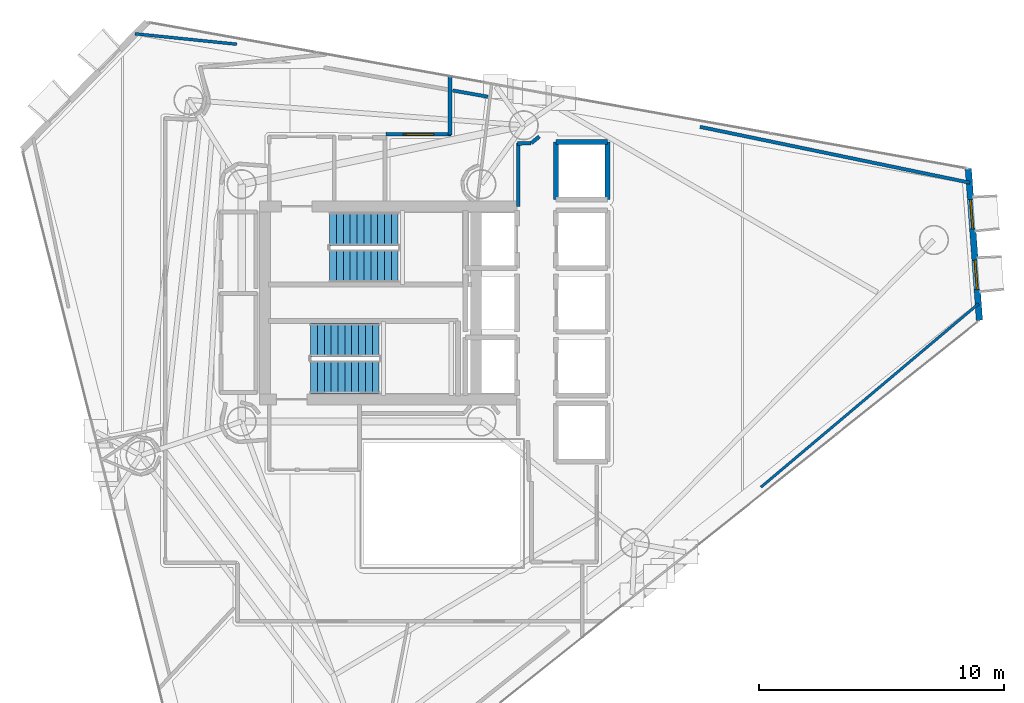
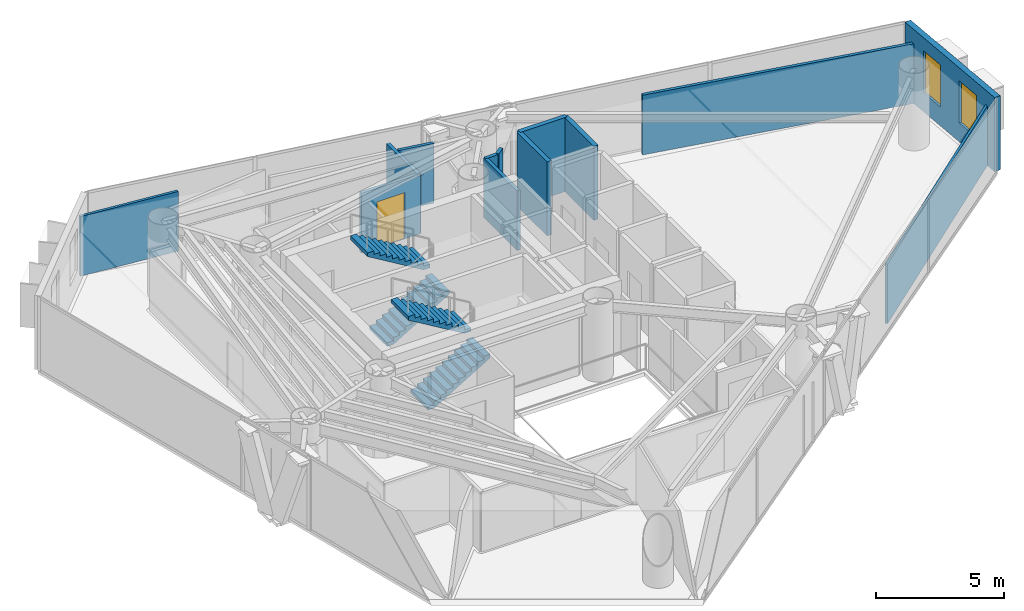
# One storey, part 19 of 22: 13 walls, 4 stair flights, 2 windows, 1 door, 3 openings, 2 elements without a shape of their own.
"""IFC4 building model written with IfcOpenShell, lengths in metres."""

from ifc_helpers import new_model, si_unit, direction, frame, frame_2d, origin, place, context, subcontext, project, spatial, polyline, rectangle, outline, extrude, material, layer, layer_set, type_object, element, fill, aggregate, save


model = new_model("IFC4")

# Units and contexts
model_context = context("Model", 3, precision=1e-05, world=origin(), true_north=direction((0.0, 1.0)))
body_context = subcontext(model_context, "Body", "Model", "MODEL_VIEW")
ifc_project = project(units=[si_unit("LENGTHUNIT", "METRE"), si_unit("AREAUNIT", "SQUARE_METRE"), si_unit("VOLUMEUNIT", "CUBIC_METRE"), si_unit("PLANEANGLEUNIT", "RADIAN"), si_unit("MASSUNIT", "GRAM", prefix="KILO")], contexts=[model_context])

# Site, building, storey
site_placement = place(None, origin())
site = spatial("IfcSite", under=ifc_project, at=site_placement, CompositionType="ELEMENT")
building_placement = place(site_placement, origin())
building = spatial("IfcBuilding", under=site, at=building_placement, Name="Qianvela Tower", CompositionType="ELEMENT")
storey_placement = place(building_placement, frame((0.0, 0.0, 207.699951171875)))
storey = spatial("IfcBuildingStorey", under=building, at=storey_placement, Name="L53", CompositionType="ELEMENT", Elevation=207.699951171875)

# Wall, openings, windows
ifc_material_1 = material(Name="Terracotta Cladding on Concrete C40", Category="masonry")
ifc_layer_1 = layer(ifc_material_1, 0.260009765625)
ifc_layer_set_1 = layer_set([ifc_layer_1], Name="Terracotta Cladding on Concrete C40")
wall_type_1 = type_object("IfcWallType", Name="TERRACOTTA-WALL-260", PredefinedType="SOLIDWALL", material=ifc_layer_set_1)
wall_1_placement = place(storey_placement, frame((58.75830078125, 27.9873046875, 0.0), z_axis=(0.0, 0.0, 1.0), x_axis=(-0.073501040967, 0.997295140356, 0.0)))
wall_1 = element("IfcWall", 1, at=wall_1_placement, inside=storey, type_object=wall_type_1, Name="L53 Terracotta Chamfer Facet Wall 1", PredefinedType="SOLIDWALL", context=body_context, shape_type="SweptSolid", body=[
    extrude(rectangle(XDim=6.21142578125, YDim=0.260009765625, at=frame_2d((3.105712890625, 0.0))), origin(), (0.0, 0.0, 1.0), 3.52001953125),
])
opening_1_placement = place(wall_1_placement, frame((1.263427734375, 0.0, 0.89990234375)))
opening_1 = element("IfcOpeningElement", 2, at=opening_1_placement, cuts=wall_1, Name="Opening W-03", PredefinedType="OPENING", context=body_context, shape_type="SweptSolid", body=[
    extrude(rectangle(XDim=1.199951171875, YDim=2.0, at=frame_2d((0.60009765625, 1.0))), frame((0.0, 0.139892578125, 0.0), z_axis=(0.0, -1.0, 0.0), x_axis=(1.0, 0.0, 0.0)), (0.0, 0.0, 1.0), 0.280029296875),
])
opening_2_placement = place(wall_1_placement, frame((3.748046875, 0.0, 0.89990234375)))
opening_2 = element("IfcOpeningElement", 3, at=opening_2_placement, cuts=wall_1, Name="Opening W-03", PredefinedType="OPENING", context=body_context, shape_type="SweptSolid", body=[
    extrude(rectangle(XDim=1.199951171875, YDim=2.0, at=frame_2d((0.60009765625, 1.0))), frame((0.0, 0.139892578125, 0.0), z_axis=(0.0, -1.0, 0.0), x_axis=(1.0, 0.0, 0.0)), (0.0, 0.0, 1.0), 0.280029296875),
])
ifc_material_2 = material(Name="Thermally Broken Aluminium and Low-E Glass", Category="aluminium")
window_type = type_object("IfcWindowType", Name="WIN-TC-1200x2000", PartitioningType="SINGLE_PANEL", PredefinedType="WINDOW", material=ifc_material_2)
window_1_placement = place(opening_1_placement, origin())
window_1 = element("IfcWindow", 4, at=window_1_placement, inside=storey, type_object=window_type, Name="L53 Chamfer Facet Window 1.1", OverallHeight=2.0, OverallWidth=1.199951171875, PartitioningType="SINGLE_PANEL", PredefinedType="WINDOW", context=body_context, shape_type="SweptSolid", body=[
    extrude(rectangle(XDim=1.199951171875, YDim=2.0, at=frame_2d((0.60009765625, 1.0))), frame((0.0, 0.030029296875, 0.0), z_axis=(0.0, -1.0, 0.0), x_axis=(1.0, 0.0, 0.0)), (0.0, 0.0, 1.0), 0.06005859375),
])
fill(opening_1, window_1)
window_2_placement = place(opening_2_placement, origin())
window_2 = element("IfcWindow", 5, at=window_2_placement, inside=storey, type_object=window_type, Name="L53 Chamfer Facet Window 1.2", OverallHeight=2.0, OverallWidth=1.199951171875, PartitioningType="SINGLE_PANEL", PredefinedType="WINDOW", context=body_context, shape_type="SweptSolid", body=[
    extrude(rectangle(XDim=1.199951171875, YDim=2.0, at=frame_2d((0.60009765625, 1.0))), frame((0.0, 0.030029296875, 0.0), z_axis=(0.0, -1.0, 0.0), x_axis=(1.0, 0.0, 0.0)), (0.0, 0.0, 1.0), 0.06005859375),
])
fill(opening_2, window_2)

# Walls
ifc_material_3 = material(Name="Fire-Rated Acoustic Gypsum Board")
ifc_layer_2 = layer(ifc_material_3, 0.14990234375)
ifc_layer_set_2 = layer_set([ifc_layer_2], Name="Fire-Rated Acoustic Gypsum Board")
wall_type_2 = type_object("IfcWallType", Name="WT-CORR-150", PredefinedType="PARTITIONING", material=ifc_layer_set_2)
wall_2_placement = place(storey_placement, frame((39.910888671875, 32.639892578125, 0.0), z_axis=(0.0, 0.0, 1.0), x_axis=(0.0, 1.0, 0.0)))
element("IfcWall", 6, at=wall_2_placement, inside=storey, type_object=wall_type_2, Name="L53 Partition 12", PredefinedType="PARTITIONING", context=body_context, shape_type="SweptSolid", body=[
    extrude(rectangle(XDim=2.60400390625, YDim=0.14990234375, at=frame_2d((1.302001953125, 0.0))), origin(), (0.0, 0.0, 1.0), 2.840087890625),
])
wall_3_placement = place(storey_placement, frame((39.880615234375, 35.212890625, 0.0), z_axis=(0.0, 0.0, 1.0), x_axis=(0.999756500784, 0.02206669754, 0.0)))
element("IfcWall", 7, at=wall_3_placement, inside=storey, type_object=wall_type_2, Name="L53 Partition 13", PredefinedType="PARTITIONING", context=body_context, shape_type="SweptSolid", body=[
    extrude(rectangle(XDim=0.542236328125, YDim=0.14990234375, at=frame_2d((0.27099609375, 0.0))), origin(), (0.0, 0.0, 1.0), 2.840087890625),
])
wall_4_placement = place(storey_placement, frame((40.44140625, 35.231689453125, 0.0), z_axis=(0.0, 0.0, 1.0), x_axis=(0.778714564707, 0.627378376033, 0.0)))
element("IfcWall", 8, at=wall_4_placement, inside=storey, type_object=wall_type_2, Name="L53 Partition 14", PredefinedType="PARTITIONING", context=body_context, shape_type="SweptSolid", body=[
    extrude(rectangle(XDim=0.421142578125, YDim=0.14990234375, at=frame_2d((0.21044921875, 0.0))), origin(), (0.0, 0.0, 1.0), 2.840087890625),
])
wall_5_placement = place(storey_placement, frame((37.118896484375, 37.97998046875, 0.0), z_axis=(0.0, 0.0, 1.0), x_axis=(0.0, -1.0, 0.0)))
element("IfcWall", 9, at=wall_5_placement, inside=storey, type_object=wall_type_2, Name="L53 Partition 53", PredefinedType="PARTITIONING", context=body_context, shape_type="SweptSolid", body=[
    extrude(rectangle(XDim=2.419921875, YDim=0.14990234375, at=frame_2d((1.2099609375, 0.0))), origin(), (0.0, 0.0, 1.0), 2.840087890625),
])

# Wall, opening, door
wall_6_placement = place(storey_placement, frame((37.150146484375, 35.591064453125, 0.0), z_axis=(0.0, 0.0, 1.0), x_axis=(-0.999996180994, 0.002763692808, 0.0)))
wall_6 = element("IfcWall", 10, at=wall_6_placement, inside=storey, type_object=wall_type_2, Name="L53 Partition 54 seg 1", PredefinedType="PARTITIONING", context=body_context, shape_type="SweptSolid", body=[
    extrude(rectangle(XDim=2.650146484375, YDim=0.14990234375, at=frame_2d((1.3251953125, 0.0))), origin(), (0.0, 0.0, 1.0), 2.840087890625),
])
opening_3_placement = place(wall_6_placement, frame((0.7001953125, 0.0, 0.0)))
opening_3 = element("IfcOpeningElement", 11, at=opening_3_placement, cuts=wall_6, Name="Opening D-LG1", PredefinedType="OPENING", context=body_context, shape_type="SweptSolid", body=[
    extrude(rectangle(XDim=1.25, YDim=2.199951171875, at=frame_2d((0.625, 1.10009765625))), frame((0.0, 0.0849609375, 0.0), z_axis=(0.0, -1.0, 0.0), x_axis=(1.0, 0.0, 0.0)), (0.0, 0.0, 1.0), 0.169921875),
])
ifc_material_4 = material(Name="Anodised Aluminium Acoustic Glass Door", Category="aluminium")
door_type = type_object("IfcDoorType", Name="DT-LOUNGE-1250", OperationType="NOTDEFINED", PredefinedType="DOOR", material=ifc_material_4)
door_placement = place(opening_3_placement, origin())
door = element("IfcDoor", 12, at=door_placement, inside=storey, type_object=door_type, Name="L53 Door Media Practice Cinema L53-05 to L53 Floor Corridor", OperationType="SINGLE_SWING_LEFT", OverallHeight=2.199951171875, OverallWidth=1.25, PredefinedType="DOOR", context=body_context, shape_type="SweptSolid", body=[
    extrude(rectangle(XDim=1.25, YDim=2.199951171875, at=frame_2d((0.625, 1.10009765625))), frame((0.0, 0.02490234375, 0.0), z_axis=(0.0, -1.0, 0.0), x_axis=(1.0, 0.0, 0.0)), (0.0, 0.0, 1.0), 0.050048828125),
])
fill(opening_3, door)

# Walls
ifc_material_5 = material(Name="Lightweight Gypsum Room Partition")
ifc_layer_3 = layer(ifc_material_5, 0.10498046875)
ifc_layer_set_3 = layer_set([ifc_layer_3], Name="Lightweight Gypsum Room Partition")
wall_type_3 = type_object("IfcWallType", Name="WT-PART-105", PredefinedType="PARTITIONING", material=ifc_layer_set_3)
wall_7_placement = place(storey_placement, frame((58.724853515625, 28.66552734375, 0.0), z_axis=(0.0, 0.0, 1.0), x_axis=(-0.764652812971, -0.6444424533, 0.0)))
element("IfcWall", 13, at=wall_7_placement, inside=storey, type_object=wall_type_3, Name="L53 Partition 116 seg 1", PredefinedType="PARTITIONING", context=body_context, shape_type="SweptSolid", body=[
    extrude(rectangle(XDim=11.641357421875, YDim=0.10498046875, at=frame_2d((5.82080078125, 0.0))), origin(), (0.0, 0.0, 1.0), 2.840087890625),
])
ifc_material_6 = material(Name="Insulated Gypsum Stud Partition")
ifc_layer_4 = layer(ifc_material_6, 0.1201171875)
ifc_layer_set_4 = layer_set([ifc_layer_4], Name="Insulated Gypsum Stud Partition")
wall_type_4 = type_object("IfcWallType", Name="WT-PART-120", PredefinedType="PARTITIONING", material=ifc_layer_set_4)
wall_8_placement = place(storey_placement, frame((24.240478515625, 39.697509765625, 0.0), z_axis=(0.0, 0.0, 1.0), x_axis=(0.994789788079, -0.10194742534, 0.0)))
element("IfcWall", 14, at=wall_8_placement, inside=storey, type_object=wall_type_4, Name="L53 Partition 127 seg 1", PredefinedType="PARTITIONING", context=body_context, shape_type="SweptSolid", body=[
    extrude(rectangle(XDim=4.18359375, YDim=0.1201171875, at=frame_2d((2.091796875, 0.0))), origin(), (0.0, 0.0, 1.0), 2.840087890625),
])
ifc_material_7 = material(Name="Acoustic Double Gypsum Stud Partition")
ifc_layer_5 = layer(ifc_material_7, 0.139892578125)
ifc_layer_set_5 = layer_set([ifc_layer_5], Name="Acoustic Double Gypsum Stud Partition")
wall_type_5 = type_object("IfcWallType", Name="WT-ROOM-140", PredefinedType="PARTITIONING", material=ifc_layer_set_5)
wall_9_placement = place(storey_placement, frame((47.334716796875, 35.894287109375, 0.0), z_axis=(0.0, 0.0, 1.0), x_axis=(0.979239503004, -0.202706674177, 0.0)))
element("IfcWall", 15, at=wall_9_placement, inside=storey, type_object=wall_type_5, Name="L53 Partition 114 seg 2", PredefinedType="PARTITIONING", context=body_context, shape_type="SweptSolid", body=[
    extrude(rectangle(XDim=11.262451171875, YDim=0.139892578125, at=frame_2d((5.63134765625, 0.0))), origin(), (0.0, 0.0, 1.0), 2.840087890625),
])
wall_10_placement = place(storey_placement, frame((37.224609375, 37.381591796875, 0.0), z_axis=(0.0, 0.0, 1.0), x_axis=(0.984465754376, -0.175576702503, 0.0)))
element("IfcWall", 16, at=wall_10_placement, inside=storey, type_object=wall_type_5, Name="L53 Partition 120 seg 1", PredefinedType="PARTITIONING", context=body_context, shape_type="SweptSolid", body=[
    extrude(rectangle(XDim=1.46142578125, YDim=0.139892578125, at=frame_2d((0.730712890625, 0.0))), origin(), (0.0, 0.0, 1.0), 2.840087890625),
])
ifc_material_8 = material(Name="Concrete C50", Category="concrete")
ifc_layer_6 = layer(ifc_material_8, 0.199951171875)
ifc_layer_set_6 = layer_set([ifc_layer_6], Name="Concrete C50")
wall_type_6 = type_object("IfcWallType", Name="WT-SHAFT-200", PredefinedType="SOLIDWALL", material=ifc_layer_set_6)
for number, where, z_axis, x_axis, name in (
    (17, (43.550048828125, 32.919921875, 0.0), (0.0, 0.0, 1.0), (0.0, 1.0, 0.0), "L53 Lift PL-H3 E Shaft Wall"),
    (18, (41.449951171875, 32.919921875, 0.0), (0.0, 0.0, 1.0), (0.0, 1.0, 0.0), "L53 Lift PL-H3 W Shaft Wall"),
):
    element("IfcWall", number, at=place(storey_placement, frame(where, z_axis=z_axis, x_axis=x_axis)), inside=storey, type_object=wall_type_6, Name=name, PredefinedType="SOLIDWALL", context=body_context, shape_type="SweptSolid", body=[
        extrude(rectangle(XDim=2.360107421875, YDim=0.199951171875, at=frame_2d((1.18017578125, 0.0))), origin(), (0.0, 0.0, 1.0), 3.52001953125),
    ])
wall_11_placement = place(storey_placement, frame((41.449951171875, 35.280029296875, 0.0), z_axis=(0.0, 0.0, 1.0), x_axis=(1.0, 0.0, 0.0)))
element("IfcWall", 19, at=wall_11_placement, inside=storey, type_object=wall_type_6, Name="L53 Lift PL-H3 N Shaft Wall", PredefinedType="SOLIDWALL", context=body_context, shape_type="SweptSolid", body=[
    extrude(rectangle(XDim=2.10009765625, YDim=0.199951171875, at=frame_2d((1.050048828125, 0.0))), origin(), (0.0, 0.0, 1.0), 3.52001953125),
])

# Stair, stair flights
ifc_material_9 = material(Name="Concrete C40", Category="concrete")
stair_type = type_object("IfcStairType", Name="ST-DOGLEG-1350-R168-N22", PredefinedType="HALF_TURN_STAIR", material=ifc_material_9)
stair_1_placement = place(storey_placement, origin())
stair_1 = element("IfcStair", 20, at=stair_1_placement, inside=storey, type_object=stair_type, Name="L53 Smoke-Proof Core Stair ST-1", PredefinedType="HALF_TURN_STAIR")
ifc_material_10 = material(Name="Concrete C40", Category="concrete")
stair_flight_type = type_object("IfcStairFlightType", Name="STF-STRAIGHT-R168-P11", PredefinedType="STRAIGHT", material=ifc_material_10)
stair_flight_1_placement = place(storey_placement, frame((32.199951171875, 30.215087890625, 0.0), z_axis=(0.0, 0.0, 1.0), x_axis=(1.0, 0.0, 0.0)))
stair_flight_1 = element("IfcStairFlight", 21, at=stair_flight_1_placement, type_object=stair_flight_type, Name="ST-1 flight 1", NumberOfRisers=11, NumberOfTreads=10, PredefinedType="STRAIGHT", RiserHeight=0.168181818, TreadLength=0.28, context=body_context, shape_type="SweptSolid", body=[
    extrude(outline(polyline([(0.0, 0.0), (0.0, 0.168212890625), (0.280029296875, 0.168212890625), (0.280029296875, 0.33642578125), (0.56005859375, 0.33642578125), (0.56005859375, 0.504638671875), (0.840087890625, 0.504638671875), (0.840087890625, 0.672607421875), (1.1201171875, 0.672607421875), (1.1201171875, 0.8408203125), (1.39990234375, 0.8408203125), (1.39990234375, 1.009033203125), (1.679931640625, 1.009033203125), (1.679931640625, 1.17724609375), (1.9599609375, 1.17724609375), (1.9599609375, 1.345458984375), (2.239990234375, 1.345458984375), (2.239990234375, 1.513671875), (2.52001953125, 1.513671875), (2.52001953125, 1.681884765625), (2.800048828125, 1.681884765625), (2.800048828125, 1.85009765625), (2.800048828125, 1.5068359375), (0.291015625, 0.0), (0.0, 0.0)])), frame((0.0, 0.675048828125, 0.0), z_axis=(0.0, -1.0, 0.0), x_axis=(1.0, 0.0, 0.0)), (0.0, 0.0, 1.0), 1.35009765625),
])
stair_flight_2_placement = place(storey_placement, frame((35.0, 31.72509765625, 1.85009765625), z_axis=(0.0, 0.0, 1.0), x_axis=(-1.0, 0.0, 0.0)))
stair_flight_2 = element("IfcStairFlight", 22, at=stair_flight_2_placement, type_object=stair_flight_type, Name="ST-1 flight 2", NumberOfRisers=11, NumberOfTreads=10, PredefinedType="STRAIGHT", RiserHeight=0.168181818, TreadLength=0.28, context=body_context, shape_type="SweptSolid", body=[
    extrude(outline(polyline([(0.0, 0.0), (0.0, 0.168212890625), (0.280029296875, 0.168212890625), (0.280029296875, 0.33642578125), (0.56005859375, 0.33642578125), (0.56005859375, 0.504638671875), (0.840087890625, 0.504638671875), (0.840087890625, 0.672607421875), (1.1201171875, 0.672607421875), (1.1201171875, 0.8408203125), (1.39990234375, 0.8408203125), (1.39990234375, 1.009033203125), (1.679931640625, 1.009033203125), (1.679931640625, 1.17724609375), (1.9599609375, 1.17724609375), (1.9599609375, 1.345458984375), (2.239990234375, 1.345458984375), (2.239990234375, 1.513671875), (2.52001953125, 1.513671875), (2.52001953125, 1.681884765625), (2.800048828125, 1.681884765625), (2.800048828125, 1.85009765625), (2.800048828125, 1.5068359375), (0.291015625, 0.0), (0.0, 0.0)])), frame((0.0, 0.675048828125, 0.0), z_axis=(0.0, -1.0, 0.0), x_axis=(1.0, 0.0, 0.0)), (0.0, 0.0, 1.0), 1.35009765625),
])
aggregate(stair_1, [stair_flight_1, stair_flight_2])

stair_2_placement = place(storey_placement, origin())
stair_2 = element("IfcStair", 23, at=stair_2_placement, inside=storey, type_object=stair_type, Name="L53 Smoke-Proof Core Stair ST-2", PredefinedType="HALF_TURN_STAIR")
stair_flight_3_placement = place(storey_placement, frame((31.419921875, 25.675048828125, 0.0), z_axis=(0.0, 0.0, 1.0), x_axis=(1.0, 0.0, 0.0)))
stair_flight_3 = element("IfcStairFlight", 24, at=stair_flight_3_placement, type_object=stair_flight_type, Name="ST-2 flight 1", NumberOfRisers=11, NumberOfTreads=10, PredefinedType="STRAIGHT", RiserHeight=0.168181818, TreadLength=0.28, context=body_context, shape_type="SweptSolid", body=[
    extrude(outline(polyline([(0.0, 0.0), (0.0, 0.168212890625), (0.280029296875, 0.168212890625), (0.280029296875, 0.33642578125), (0.56005859375, 0.33642578125), (0.56005859375, 0.504638671875), (0.840087890625, 0.504638671875), (0.840087890625, 0.672607421875), (1.1201171875, 0.672607421875), (1.1201171875, 0.8408203125), (1.39990234375, 0.8408203125), (1.39990234375, 1.009033203125), (1.679931640625, 1.009033203125), (1.679931640625, 1.17724609375), (1.9599609375, 1.17724609375), (1.9599609375, 1.345458984375), (2.239990234375, 1.345458984375), (2.239990234375, 1.513671875), (2.52001953125, 1.513671875), (2.52001953125, 1.681884765625), (2.800048828125, 1.681884765625), (2.800048828125, 1.85009765625), (2.800048828125, 1.5068359375), (0.291015625, 0.0), (0.0, 0.0)])), frame((0.0, 0.675048828125, 0.0), z_axis=(0.0, -1.0, 0.0), x_axis=(1.0, 0.0, 0.0)), (0.0, 0.0, 1.0), 1.35009765625),
])
stair_flight_4_placement = place(storey_placement, frame((34.219970703125, 27.18505859375, 1.85009765625), z_axis=(0.0, 0.0, 1.0), x_axis=(-1.0, 0.0, 0.0)))
stair_flight_4 = element("IfcStairFlight", 25, at=stair_flight_4_placement, type_object=stair_flight_type, Name="ST-2 flight 2", NumberOfRisers=11, NumberOfTreads=10, PredefinedType="STRAIGHT", RiserHeight=0.168181818, TreadLength=0.28, context=body_context, shape_type="SweptSolid", body=[
    extrude(outline(polyline([(0.0, 0.0), (0.0, 0.168212890625), (0.280029296875, 0.168212890625), (0.280029296875, 0.33642578125), (0.56005859375, 0.33642578125), (0.56005859375, 0.504638671875), (0.840087890625, 0.504638671875), (0.840087890625, 0.672607421875), (1.1201171875, 0.672607421875), (1.1201171875, 0.8408203125), (1.39990234375, 0.8408203125), (1.39990234375, 1.009033203125), (1.679931640625, 1.009033203125), (1.679931640625, 1.17724609375), (1.9599609375, 1.17724609375), (1.9599609375, 1.345458984375), (2.239990234375, 1.345458984375), (2.239990234375, 1.513671875), (2.52001953125, 1.513671875), (2.52001953125, 1.681884765625), (2.800048828125, 1.681884765625), (2.800048828125, 1.85009765625), (2.800048828125, 1.5068359375), (0.291015625, 0.0), (0.0, 0.0)])), frame((0.0, 0.675048828125, 0.0), z_axis=(0.0, -1.0, 0.0), x_axis=(1.0, 0.0, 0.0)), (0.0, 0.0, 1.0), 1.35009765625),
])
aggregate(stair_2, [stair_flight_3, stair_flight_4])

save(model, "model.ifc")
